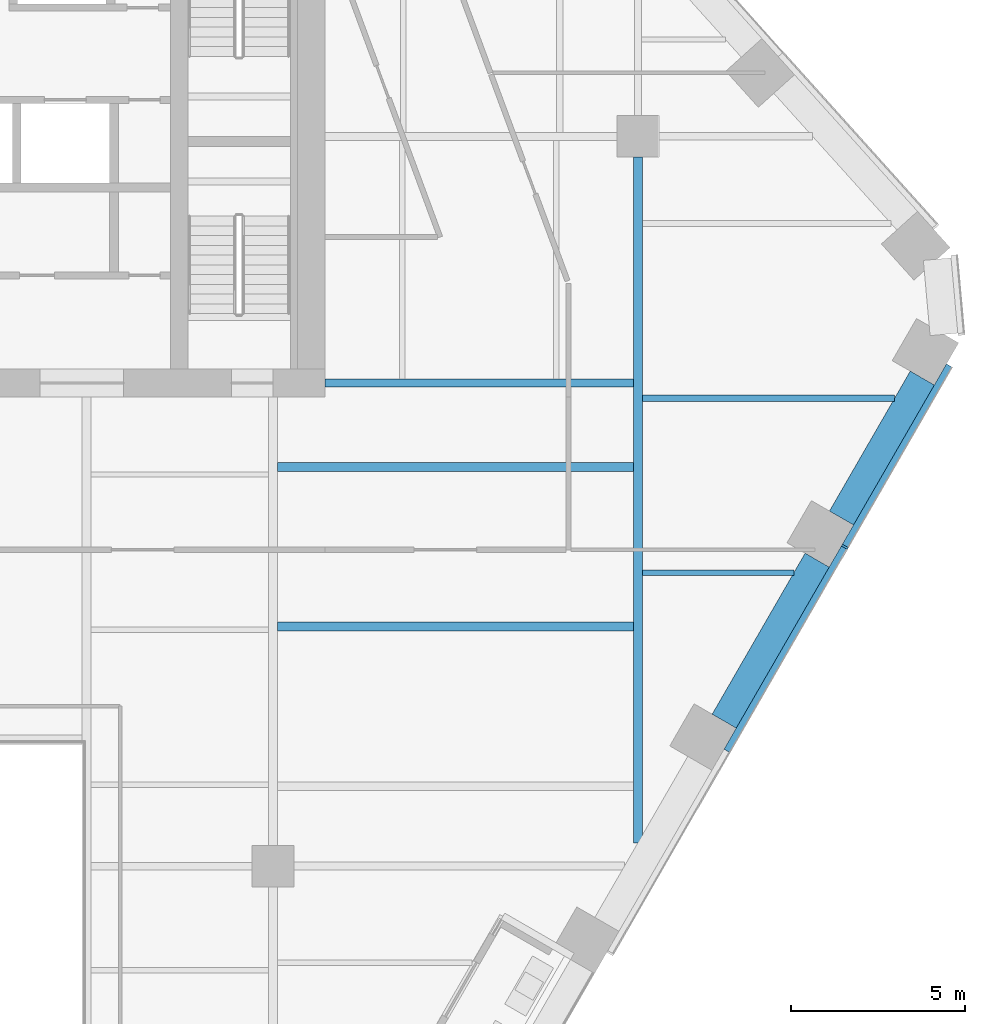
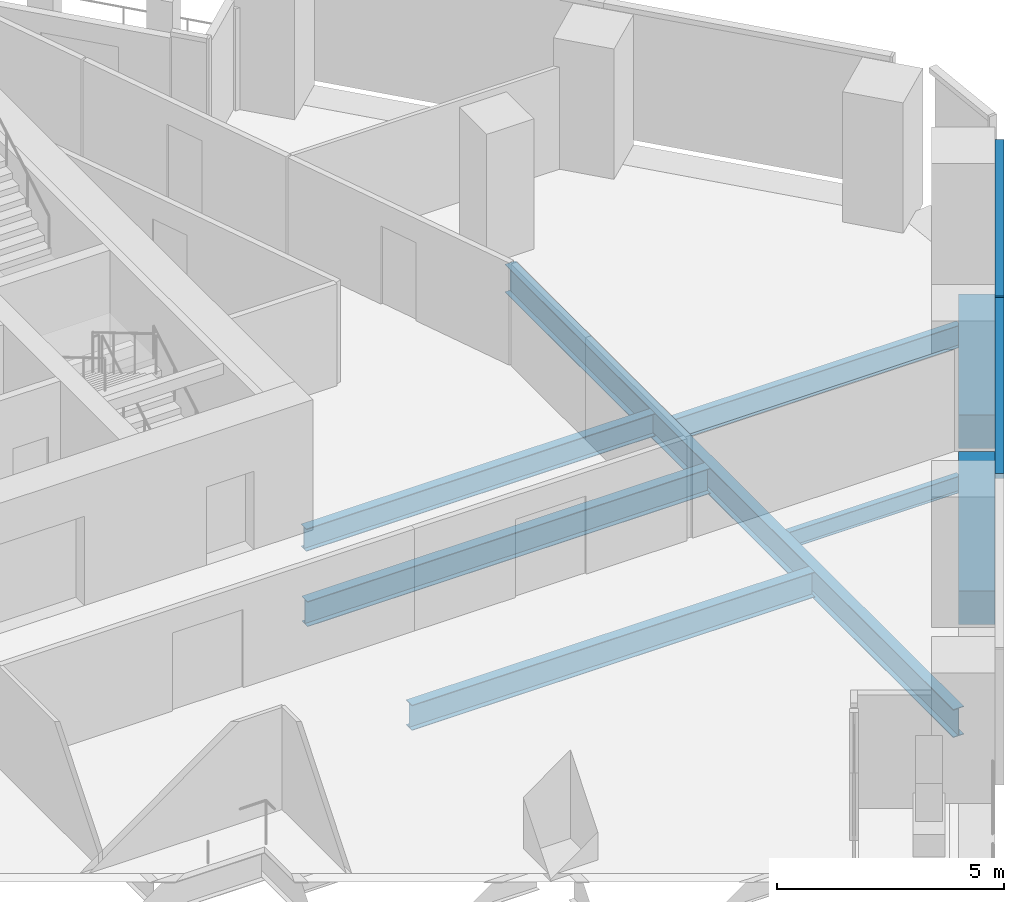
# One storey, part 6 of 24: 8 beams, 3 members, 1 element without a shape of its own.
"""IFC4 building model written with IfcOpenShell, lengths in metres."""

from ifc_helpers import new_model, si_unit, direction, frame, origin, origin_2d, place, context, subcontext, project, spatial, rectangle, i_section, extrude, material, layer, layer_set, material_profile, profile_set, type_object, element, aggregate, save


model = new_model("IFC4")

# Units and contexts
model_context = context("Model", 3, precision=1e-05, world=origin(), true_north=direction((0.0, 1.0)))
body_context = subcontext(model_context, "Body", "Model", "MODEL_VIEW")
ifc_project = project(units=[si_unit("LENGTHUNIT", "METRE"), si_unit("AREAUNIT", "SQUARE_METRE"), si_unit("VOLUMEUNIT", "CUBIC_METRE"), si_unit("PLANEANGLEUNIT", "RADIAN"), si_unit("MASSUNIT", "GRAM", prefix="KILO")], contexts=[model_context])

# Site, building, storey
site_placement = place(None, origin())
site = spatial("IfcSite", under=ifc_project, at=site_placement, CompositionType="ELEMENT")
building_placement = place(site_placement, origin())
building = spatial("IfcBuilding", under=site, at=building_placement, Name="Isthmus Gate Tower", CompositionType="ELEMENT")
storey_placement = place(building_placement, frame((0.0, 0.0, 159.0)))
storey = spatial("IfcBuildingStorey", under=building, at=storey_placement, Name="L39", CompositionType="ELEMENT", Elevation=159.0)

# Curtain wall, members
ifc_material_1 = material(Name="Aluminium, pale champagne anodised", Category="aluminium")
ifc_layer = layer(ifc_material_1, 0.199951171875)
ifc_layer_set = layer_set([ifc_layer], Name="CW-1 UNITISED CURTAIN WALL 200 DEEP")
curtain_wall_type = type_object("IfcCurtainWallType", Name="CW-1 UNITISED CURTAIN WALL 200 DEEP", PredefinedType="NOTDEFINED", material=ifc_layer_set)
curtain_wall_placement = place(storey_placement, origin())
curtain_wall = element("IfcCurtainWall", 1, at=curtain_wall_placement, inside=storey, type_object=curtain_wall_type, Name="CW-1 SE L39", PredefinedType="NOTDEFINED")
ifc_material_2 = material(Name="Aluminium, pale champagne anodised", Category="aluminium")
ifc_material_profile_1 = material_profile(ifc_material_2, rectangle(XDim=0.06005859375, YDim=0.199951171875, at=origin_2d()), Name="60x200")
ifc_profile_set_1 = profile_set([ifc_material_profile_1], Name="Aluminium, pale champagne anodised")
member_type_1 = type_object("IfcMemberType", Name="CW-1 MULLION 60 X 200", PredefinedType="MULLION", material=ifc_profile_set_1)
member_1_placement = place(storey_placement, frame((29.956298828125, -4.314208984375, 0.0), z_axis=(0.0, 0.0, 1.0), x_axis=(0.5, 0.866025403784, 0.0)))
member_1 = element("IfcMember", 2, at=member_1_placement, type_object=member_type_1, Name="CW-1 mullion", PredefinedType="MULLION", context=body_context, shape_type="SweptSolid", body=[
    extrude(rectangle(XDim=0.06005859375, YDim=0.199951171875, at=origin_2d()), origin(), (0.0, 0.0, 1.0), 3.64990234375),
])
ifc_material_3 = material(Name="Aluminium, pale champagne anodised", Category="aluminium")
ifc_material_profile_2 = material_profile(ifc_material_3, rectangle(XDim=0.199951171875, YDim=0.139892578125, at=origin_2d()), Name="200x140")
ifc_profile_set_2 = profile_set([ifc_material_profile_2], Name="Aluminium, pale champagne anodised")
member_type_2 = type_object("IfcMemberType", Name="CW-1 TRANSOM 200 X 140", PredefinedType="USERDEFINED", material=ifc_profile_set_2)
member_2_placement = place(storey_placement, frame((26.566162109375, -10.18603515625, 3.580078125), z_axis=(0.499997969693, 0.866026575979, 0.0), x_axis=(-0.866026575979, 0.499997969693, 0.0)))
member_2 = element("IfcMember", 3, at=member_2_placement, type_object=member_type_2, Name="CW-1 transom", ObjectType="TRANSOM", PredefinedType="USERDEFINED", context=body_context, shape_type="SweptSolid", body=[
    extrude(rectangle(XDim=0.199951171875, YDim=0.139892578125, at=origin_2d()), origin(), (0.0, 0.0, 1.0), 6.75),
])
member_3_placement = place(storey_placement, frame((29.97119140625, -4.288330078125, 3.580078125), z_axis=(0.499996458184, 0.866027448643, 0.0), x_axis=(-0.866027448643, 0.499996458184, 0.0)))
member_3 = element("IfcMember", 4, at=member_3_placement, type_object=member_type_2, Name="CW-1 transom", ObjectType="TRANSOM", PredefinedType="USERDEFINED", context=body_context, shape_type="SweptSolid", body=[
    extrude(rectangle(XDim=0.199951171875, YDim=0.139892578125, at=origin_2d()), origin(), (0.0, 0.0, 1.0), 5.990234375),
])
aggregate(curtain_wall, [member_2, member_1, member_3])

# Beams
ifc_material_4 = material(Name="Concrete f'c 60 MPa", Category="concrete")
ifc_material_profile_3 = material_profile(ifc_material_4, rectangle(XDim=0.800048828125, YDim=0.89990234375, at=origin_2d()), Name="RC 800X900")
ifc_profile_set_3 = profile_set([ifc_material_profile_3], Name="Concrete f'c 60 MPa")
beam_type_1 = type_object("IfcBeamType", Name="RC SPANDREL 800 X 900", PredefinedType="SPANDREL", material=ifc_profile_set_3)
beam_1_placement = place(storey_placement, frame((32.183349609375, 0.54296875, -0.449951171875), z_axis=(-0.500023913295, -0.866011596997, 0.0), x_axis=(0.866011596997, -0.500023913295, 0.0)))
element("IfcBeam", 5, at=beam_1_placement, inside=storey, type_object=beam_type_1, Name="str-spandrel-L39-06", PredefinedType="SPANDREL", context=body_context, shape_type="SweptSolid", body=[
    extrude(rectangle(XDim=0.800048828125, YDim=0.89990234375, at=origin_2d()), origin(), (0.0, 0.0, 1.0), 4.650146484375),
])
beam_2_placement = place(storey_placement, frame((29.158203125, -4.696533203125, -0.449951171875), z_axis=(-0.500001594578, -0.866024483152, 0.0), x_axis=(0.866024483152, -0.500001594578, 0.0)))
element("IfcBeam", 6, at=beam_2_placement, inside=storey, type_object=beam_type_1, Name="str-spandrel-L39-07", PredefinedType="SPANDREL", context=body_context, shape_type="SweptSolid", body=[
    extrude(rectangle(XDim=0.800048828125, YDim=0.89990234375, at=origin_2d()), origin(), (0.0, 0.0, 1.0), 5.35009765625),
])
ifc_material_5 = material(Name="Structural steel ASTM A992 Gr 50", Category="steel")
ifc_material_profile_4 = material_profile(ifc_material_5, i_section(OverallWidth=0.15234375, OverallDepth=0.45068359375, WebThickness=0.0078125, FlangeThickness=0.010986328125, at=origin_2d()), Name="W18X35")
ifc_profile_set_4 = profile_set([ifc_material_profile_4], Name="Structural steel ASTM A992 Gr 50")
beam_type_2 = type_object("IfcBeamType", Name="STEEL FLOOR BEAM W18X35", PredefinedType="JOIST", material=ifc_profile_set_4)
beam_3_placement = place(storey_placement, frame((24.13330078125, -5.0625, -0.37548828125), z_axis=(1.0, 0.0, 0.0), x_axis=(0.0, 1.0, 0.0)))
element("IfcBeam", 7, at=beam_3_placement, inside=storey, type_object=beam_type_2, Name="str-beam-L39-21-00", PredefinedType="JOIST", context=body_context, shape_type="SweptSolid", body=[
    extrude(i_section(OverallWidth=0.15234375, OverallDepth=0.45068359375, WebThickness=0.0078125, FlangeThickness=0.010986328125, at=origin_2d()), origin(), (0.0, 0.0, 1.0), 4.351806640625),
])
ifc_material_6 = material(Name="Structural steel ASTM A992 Gr 50", Category="steel")
ifc_material_profile_5 = material_profile(ifc_material_6, i_section(OverallWidth=0.177734375, OverallDepth=0.60009765625, WebThickness=0.009521484375, FlangeThickness=0.0126953125, at=origin_2d()), Name="W24X55")
ifc_profile_set_5 = profile_set([ifc_material_profile_5], Name="Structural steel ASTM A992 Gr 50")
beam_type_3 = type_object("IfcBeamType", Name="STEEL FLOOR BEAM W24X55", PredefinedType="JOIST", material=ifc_profile_set_5)
beam_4_placement = place(storey_placement, frame((24.13330078125, -0.037353515625, -0.449951171875), z_axis=(1.0, 0.0, 0.0), x_axis=(0.0, 1.0, 0.0)))
element("IfcBeam", 8, at=beam_4_placement, inside=storey, type_object=beam_type_3, Name="str-beam-L39-21-01", PredefinedType="JOIST", context=body_context, shape_type="SweptSolid", body=[
    extrude(i_section(OverallWidth=0.177734375, OverallDepth=0.60009765625, WebThickness=0.009521484375, FlangeThickness=0.0126953125, at=origin_2d()), origin(), (0.0, 0.0, 1.0), 7.2529296875),
])
ifc_material_7 = material(Name="Structural steel ASTM A992 Gr 50", Category="steel")
ifc_material_profile_6 = material_profile(ifc_material_7, i_section(OverallWidth=0.25390625, OverallDepth=0.679443359375, WebThickness=0.010986328125, FlangeThickness=0.015869140625, at=origin_2d()), Name="W27X84")
ifc_profile_set_6 = profile_set([ifc_material_profile_6], Name="Structural steel ASTM A992 Gr 50")
beam_type_4 = type_object("IfcBeamType", Name="STEEL FLOOR BEAM W27X84", PredefinedType="JOIST", material=ifc_profile_set_6)
for number, where, z_axis, x_axis, name in (
    (9, (13.6318359375, -6.607177734375, -0.48974609375), (1.0, 0.0, 0.0), (0.0, 1.0, 0.0), "str-beam-L39-15-01"),
    (10, (13.6318359375, -2.011962890625, -0.48974609375), (1.0, 0.0, 0.0), (0.0, 1.0, 0.0), "str-beam-L39-15-02"),
):
    element("IfcBeam", number, at=place(storey_placement, frame(where, z_axis=z_axis, x_axis=x_axis)), inside=storey, type_object=beam_type_4, Name=name, PredefinedType="JOIST", context=body_context, shape_type="SweptSolid", body=[
        extrude(i_section(OverallWidth=0.25390625, OverallDepth=0.679443359375, WebThickness=0.010986328125, FlangeThickness=0.015869140625, at=origin_2d()), origin(), (0.0, 0.0, 1.0), 10.23486328125),
    ])
ifc_material_8 = material(Name="Structural steel ASTM A992 Gr 50", Category="steel")
ifc_material_profile_7 = material_profile(ifc_material_8, i_section(OverallWidth=0.228515625, OverallDepth=0.6064453125, WebThickness=0.010986328125, FlangeThickness=0.017578125, at=origin_2d()), Name="W24X76")
ifc_profile_set_7 = profile_set([ifc_material_profile_7], Name="Structural steel ASTM A992 Gr 50")
beam_type_5 = type_object("IfcBeamType", Name="STEEL GIRDER W24X76", PredefinedType="BEAM", material=ifc_profile_set_7)
beam_5_placement = place(storey_placement, frame((15.0, 0.39990234375, -0.453125), z_axis=(1.0, 0.0, 0.0), x_axis=(0.0, 1.0, 0.0)))
element("IfcBeam", 11, at=beam_5_placement, inside=storey, type_object=beam_type_5, Name="str-girder-L39-14", PredefinedType="BEAM", context=body_context, shape_type="SweptSolid", body=[
    extrude(i_section(OverallWidth=0.228515625, OverallDepth=0.6064453125, WebThickness=0.010986328125, FlangeThickness=0.017578125, at=origin_2d()), origin(), (0.0, 0.0, 1.0), 8.86669921875),
])
ifc_material_9 = material(Name="Structural steel ASTM A992 Gr 50", Category="steel")
ifc_material_profile_8 = material_profile(ifc_material_9, i_section(OverallWidth=0.2666015625, OverallDepth=0.7587890625, WebThickness=0.014404296875, FlangeThickness=0.01904296875, at=origin_2d()), Name="W30X108")
ifc_profile_set_8 = profile_set([ifc_material_profile_8], Name="Structural steel ASTM A992 Gr 50")
beam_type_6 = type_object("IfcBeamType", Name="STEEL GIRDER W30X108", PredefinedType="BEAM", material=ifc_profile_set_8)
beam_6_placement = place(storey_placement, frame((24.0, -12.830810546875, -0.529296875), z_axis=(0.0, 1.0, 0.0), x_axis=(-1.0, 0.0, 0.0)))
element("IfcBeam", 12, at=beam_6_placement, inside=storey, type_object=beam_type_6, Name="str-girder-L39-11", PredefinedType="BEAM", context=body_context, shape_type="SweptSolid", body=[
    extrude(i_section(OverallWidth=0.2666015625, OverallDepth=0.7587890625, WebThickness=0.014404296875, FlangeThickness=0.01904296875, at=origin_2d()), origin(), (0.0, 0.0, 1.0), 19.730712890625),
])

save(model, "model.ifc")
